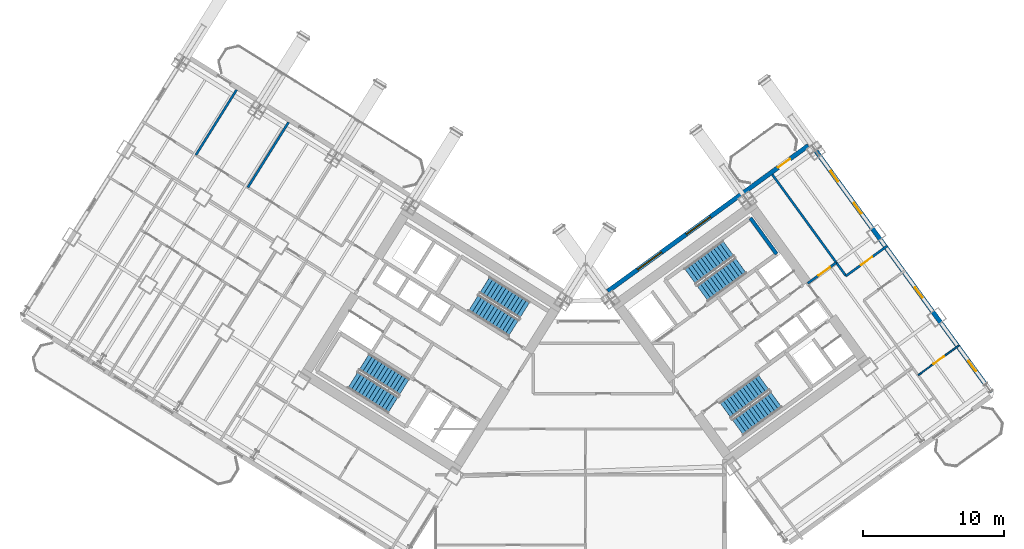
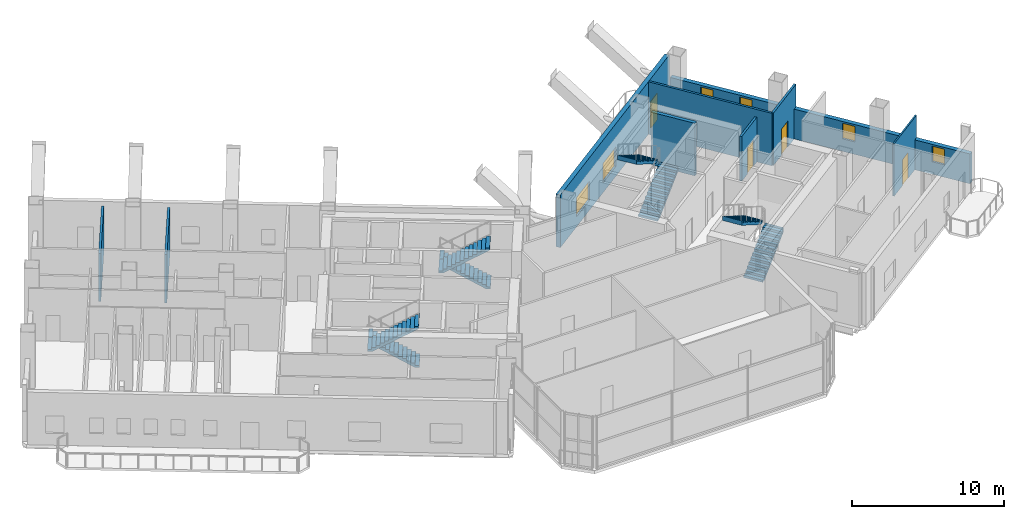
# One storey, part 26 of 30: 9 walls, 8 stair flights, 6 windows, 4 doors, 10 openings, 4 elements without a shape of their own.
"""IFC4 building model written with IfcOpenShell, lengths in metres."""

from ifc_helpers import new_model, si_unit, direction, frame, frame_2d, origin, place, context, subcontext, project, spatial, polyline, rectangle, outline, extrude, source, transform, mapped, material, layer, layer_set, type_object, element, fill, aggregate, save


model = new_model("IFC4")

# Units and contexts
model_context = context("Model", 3, precision=1e-05, world=origin(), true_north=direction((0.0, 1.0)))
body_context = subcontext(model_context, "Body", "Model", "MODEL_VIEW")
ifc_project = project(units=[si_unit("LENGTHUNIT", "METRE"), si_unit("AREAUNIT", "SQUARE_METRE"), si_unit("VOLUMEUNIT", "CUBIC_METRE"), si_unit("PLANEANGLEUNIT", "RADIAN"), si_unit("MASSUNIT", "GRAM", prefix="KILO")], contexts=[model_context])

# Site, building, storey
site_placement = place(None, origin())
site = spatial("IfcSite", under=ifc_project, at=site_placement, CompositionType="ELEMENT")
building_placement = place(site_placement, origin())
building = spatial("IfcBuilding", under=site, at=building_placement, Name="Tlacorven Tower", CompositionType="ELEMENT")
storey_placement = place(building_placement, frame((0.0, 0.0, 67.199951171875)))
storey = spatial("IfcBuildingStorey", under=building, at=storey_placement, Name="L17", CompositionType="ELEMENT", Elevation=67.199951171875)

# Walls
ifc_material_1 = material(Name="Gypsum plasterboard acoustic partition", Category="gypsum")
ifc_layer_1 = layer(ifc_material_1, 0.159912109375)
ifc_layer_set_1 = layer_set([ifc_layer_1], Name="Gypsum plasterboard acoustic partition")
wall_type_1 = type_object("IfcWallType", Name="WL-DEM-160", PredefinedType="PARTITIONING", material=ifc_layer_set_1)
for number, where, z_axis, x_axis, name in (
    (1, (21.29248046875, 37.177978515625, 0.0), (0.0, 0.0, 1.0), (-0.529938539346, -0.848036051425, 0.0), "L17 partition 71"),
    (2, (17.6083984375, 39.47998046875, 0.0), (0.0, 0.0, 1.0), (-0.529906322364, -0.848056182997, 0.0), "L17 partition 72"),
):
    element("IfcWall", number, at=place(storey_placement, frame(where, z_axis=z_axis, x_axis=x_axis)), inside=storey, type_object=wall_type_1, Name=name, PredefinedType="PARTITIONING", context=body_context, shape_type="SweptSolid", body=[
        extrude(rectangle(XDim=5.449951171875, YDim=0.159912109375, at=frame_2d((2.72509765625, 0.0))), origin(), (0.0, 0.0, 1.0), 3.864990234375),
    ])

# Wall, opening, door
wall_1_placement = place(storey_placement, frame((58.111083984375, 25.748779296875, 0.0), z_axis=(0.0, 0.0, 1.0), x_axis=(0.809000999347, 0.58780726693, 0.0)))
wall_1 = element("IfcWall", 3, at=wall_1_placement, inside=storey, type_object=wall_type_1, Name="L17 partition 91", PredefinedType="PARTITIONING", context=body_context, shape_type="SweptSolid", body=[
    extrude(rectangle(XDim=2.510009765625, YDim=0.159912109375, at=frame_2d((1.2548828125, 0.0))), origin(), (0.0, 0.0, 1.0), 3.594970703125),
])
opening_1_placement = place(wall_1_placement, frame((0.949951171875, 0.0, 0.0)))
opening_1 = element("IfcOpeningElement", 4, at=opening_1_placement, cuts=wall_1, Name="Opening D11", PredefinedType="OPENING", context=body_context, shape_type="SweptSolid", body=[
    extrude(rectangle(XDim=1.0, YDim=2.10009765625, at=frame_2d((0.5, 1.050048828125))), frame((0.0, 0.08984375, 0.0), z_axis=(0.0, -1.0, 0.0), x_axis=(1.0, 0.0, 0.0)), (0.0, 0.0, 1.0), 0.179931640625),
])
ifc_material_2 = material(Name="Fire-rated steel door assembly", Category="steel")
door_type_1 = type_object("IfcDoorType", Name="DR-FLT-FD60-1000", OperationType="NOTDEFINED", PredefinedType="DOOR", material=ifc_material_2)
shared_shape_1 = source(origin(), body_context, "Body", "SweptSolid", [
    extrude(rectangle(XDim=1.0, YDim=2.10009765625, at=frame_2d((0.5, 1.050048828125))), frame((0.0, 0.02490234375, 0.0), z_axis=(0.0, -1.0, 0.0), x_axis=(1.0, 0.0, 0.0)), (0.0, 0.0, 1.0), 0.050048828125),
])
door_1_placement = place(opening_1_placement, origin())
door_1 = element("IfcDoor", 5, at=door_1_placement, inside=storey, type_object=door_type_1, Name="L17 door 054", OperationType="SINGLE_SWING_LEFT", OverallHeight=2.10009765625, OverallWidth=1.0, PredefinedType="DOOR", context=body_context, shape_type="MappedRepresentation", body=[
    mapped(shared_shape_1, transform((0.0, 0.0, 0.0), scale=1.0)),
])
fill(opening_1, door_1)

# Wall
wall_2_placement = place(storey_placement, frame((60.829345703125, 26.277587890625, 0.0), z_axis=(0.0, 0.0, 1.0), x_axis=(-0.587781800813, 0.80901950201, 0.0)))
element("IfcWall", 6, at=wall_2_placement, inside=storey, type_object=wall_type_1, Name="L17 partition 93", PredefinedType="PARTITIONING", context=body_context, shape_type="SweptSolid", body=[
    extrude(rectangle(XDim=8.89990234375, YDim=0.159912109375, at=frame_2d((4.449951171875, 0.0))), origin(), (0.0, 0.0, 1.0), 4.2099609375),
])

# Wall, opening, door
wall_3_placement = place(storey_placement, frame((60.829345703125, 26.277587890625, 0.0), z_axis=(0.0, 0.0, 1.0), x_axis=(0.809003564202, 0.587803736896, 0.0)))
wall_3 = element("IfcWall", 7, at=wall_3_placement, inside=storey, type_object=wall_type_1, Name="L17 partition 96", PredefinedType="PARTITIONING", context=body_context, shape_type="SweptSolid", body=[
    extrude(rectangle(XDim=3.630126953125, YDim=0.159912109375, at=frame_2d((1.81494140625, 0.0))), origin(), (0.0, 0.0, 1.0), 4.2099609375),
])
opening_2_placement = place(wall_3_placement, frame((1.304931640625, 0.0, 0.0)))
opening_2 = element("IfcOpeningElement", 8, at=opening_2_placement, cuts=wall_3, Name="Opening D11", PredefinedType="OPENING", context=body_context, shape_type="SweptSolid", body=[
    extrude(rectangle(XDim=1.0, YDim=2.10009765625, at=frame_2d((0.5, 1.050048828125))), frame((0.0, 0.08984375, 0.0), z_axis=(0.0, -1.0, 0.0), x_axis=(1.0, 0.0, 0.0)), (0.0, 0.0, 1.0), 0.179931640625),
])
door_2_placement = place(opening_2_placement, origin())
door_2 = element("IfcDoor", 9, at=door_2_placement, inside=storey, type_object=door_type_1, Name="L17 door 056", OperationType="SINGLE_SWING_LEFT", OverallHeight=2.10009765625, OverallWidth=1.0, PredefinedType="DOOR", context=body_context, shape_type="MappedRepresentation", body=[
    mapped(shared_shape_1, transform((0.0, 0.0, 0.0), scale=1.0)),
])
fill(opening_2, door_2)

# Wall, openings, door, windows
ifc_material_3 = material(Name="Precast concrete C45/55", Category="concrete")
ifc_layer_2 = layer(ifc_material_3, 0.320068359375)
ifc_layer_set_2 = layer_set([ifc_layer_2], Name="Precast concrete C45/55")
wall_type_2 = type_object("IfcWallType", Name="WL-EXT-320", PredefinedType="STANDARD", material=ifc_layer_set_2)
wall_4_placement = place(storey_placement, frame((43.93798828125, 25.191650390625, 0.0), z_axis=(0.0, 0.0, 1.0), x_axis=(0.809016324578, 0.587786174187, 0.0)))
wall_4 = element("IfcWall", 10, at=wall_4_placement, inside=storey, type_object=wall_type_2, Name="L17 Masonry-Frame Recessed Facade Wall 4", PredefinedType="STANDARD", context=body_context, shape_type="SweptSolid", body=[
    extrude(rectangle(XDim=17.58740234375, YDim=0.320068359375, at=frame_2d((8.793701171875, 0.0))), origin(), (0.0, 0.0, 1.0), 4.219970703125),
])
opening_3_placement = place(wall_4_placement, frame((14.92626953125, 0.0, 0.0)))
opening_3 = element("IfcOpeningElement", 11, at=opening_3_placement, cuts=wall_4, Name="Opening D06", PredefinedType="OPENING", context=body_context, shape_type="SweptSolid", body=[
    extrude(rectangle(XDim=1.050048828125, YDim=2.14990234375, at=frame_2d((0.52490234375, 1.074951171875))), frame((0.0, 0.169921875, 0.0), z_axis=(0.0, -1.0, 0.0), x_axis=(1.0, 0.0, 0.0)), (0.0, 0.0, 1.0), 0.340087890625),
])
opening_4_placement = place(wall_4_placement, frame((2.606201171875, 0.0, 0.800048828125)))
opening_4 = element("IfcOpeningElement", 12, at=opening_4_placement, cuts=wall_4, Name="Opening WN04", PredefinedType="OPENING", context=body_context, shape_type="SweptSolid", body=[
    extrude(rectangle(XDim=2.10009765625, YDim=1.550048828125, at=frame_2d((1.050048828125, 0.77490234375))), frame((0.0, 0.169921875, 0.0), z_axis=(0.0, -1.0, 0.0), x_axis=(1.0, 0.0, 0.0)), (0.0, 0.0, 1.0), 0.340087890625),
])
opening_5_placement = place(wall_4_placement, frame((6.881103515625, 0.0, 0.800048828125)))
opening_5 = element("IfcOpeningElement", 13, at=opening_5_placement, cuts=wall_4, Name="Opening WN04", PredefinedType="OPENING", context=body_context, shape_type="SweptSolid", body=[
    extrude(rectangle(XDim=2.10009765625, YDim=1.550048828125, at=frame_2d((1.050048828125, 0.77490234375))), frame((0.0, 0.169921875, 0.0), z_axis=(0.0, -1.0, 0.0), x_axis=(1.0, 0.0, 0.0)), (0.0, 0.0, 1.0), 0.340087890625),
])
ifc_material_4 = material(Name="Powder-coated aluminium and timber door", Category="wood")
door_type_2 = type_object("IfcDoorType", Name="DR-EXT-BALC-1050", OperationType="NOTDEFINED", PredefinedType="DOOR", material=ifc_material_4)
shared_shape_2 = source(origin(), body_context, "Body", "SweptSolid", [
    extrude(rectangle(XDim=1.050048828125, YDim=2.14990234375, at=frame_2d((0.52490234375, 1.074951171875))), frame((0.0, 0.02490234375, 0.0), z_axis=(0.0, -1.0, 0.0), x_axis=(1.0, 0.0, 0.0)), (0.0, 0.0, 1.0), 0.050048828125),
])
door_3_placement = place(opening_3_placement, origin())
door_3 = element("IfcDoor", 14, at=door_3_placement, inside=storey, type_object=door_type_2, Name="L17 Outdoor Access Door BAL-L17-E-IN", OperationType="SINGLE_SWING_RIGHT", OverallHeight=2.14990234375, OverallWidth=1.050048828125, PredefinedType="DOOR", context=body_context, shape_type="MappedRepresentation", body=[
    mapped(shared_shape_2, transform((0.0, 0.0, 0.0), scale=1.0)),
])
fill(opening_3, door_3)
ifc_material_5 = material(Name="Dark solar low-E double glazing in anodised aluminium frame", Category="aluminium")
window_type_1 = type_object("IfcWindowType", Name="WN-APT-2100X1750", PartitioningType="SINGLE_PANEL", PredefinedType="WINDOW", material=ifc_material_5)
shared_shape_3 = source(origin(), body_context, "Body", "SweptSolid", [
    extrude(rectangle(XDim=2.10009765625, YDim=1.550048828125, at=frame_2d((1.050048828125, 0.77490234375))), frame((0.0, 0.030029296875, 0.0), z_axis=(0.0, -1.0, 0.0), x_axis=(1.0, 0.0, 0.0)), (0.0, 0.0, 1.0), 0.06005859375),
])
window_1_placement = place(opening_4_placement, origin())
window_1 = element("IfcWindow", 15, at=window_1_placement, inside=storey, type_object=window_type_1, Name="L17 Recessed Masonry-Frame Window L17-04.1", OverallHeight=1.550048828125, OverallWidth=2.10009765625, PartitioningType="SINGLE_PANEL", PredefinedType="WINDOW", context=body_context, shape_type="MappedRepresentation", body=[
    mapped(shared_shape_3, transform((0.0, 0.0, 0.0), scale=1.0)),
])
fill(opening_4, window_1)
window_2_placement = place(opening_5_placement, origin())
window_2 = element("IfcWindow", 16, at=window_2_placement, inside=storey, type_object=window_type_1, Name="L17 Recessed Masonry-Frame Window L17-04.2", OverallHeight=1.550048828125, OverallWidth=2.10009765625, PartitioningType="SINGLE_PANEL", PredefinedType="WINDOW", context=body_context, shape_type="MappedRepresentation", body=[
    mapped(shared_shape_3, transform((0.0, 0.0, 0.0), scale=1.0)),
])
fill(opening_5, window_2)

# Wall, openings, windows
wall_5_placement = place(storey_placement, frame((58.45458984375, 35.483642578125, 0.0), z_axis=(0.0, 0.0, 1.0), x_axis=(0.587783625747, -0.809018176127, 0.0)))
wall_5 = element("IfcWall", 17, at=wall_5_placement, inside=storey, type_object=wall_type_2, Name="L17 Masonry-Frame Recessed Facade Wall 5", PredefinedType="STANDARD", context=body_context, shape_type="SweptSolid", body=[
    extrude(rectangle(XDim=21.58740234375, YDim=0.320068359375, at=frame_2d((10.793701171875, 0.0))), origin(), (0.0, 0.0, 1.0), 2.39501953125),
])
opening_6_placement = place(wall_5_placement, frame((2.193603515625, 0.0, 1.0)))
opening_6 = element("IfcOpeningElement", 18, at=opening_6_placement, cuts=wall_5, Name="Opening WN05", PredefinedType="OPENING", context=body_context, shape_type="SweptSolid", body=[
    extrude(rectangle(XDim=0.89990234375, YDim=1.25, at=frame_2d((0.449951171875, 0.625))), frame((0.0, 0.169921875, 0.0), z_axis=(0.0, -1.0, 0.0), x_axis=(1.0, 0.0, 0.0)), (0.0, 0.0, 1.0), 0.340087890625),
])
opening_7_placement = place(wall_5_placement, frame((4.99365234375, 0.0, 1.0)))
opening_7 = element("IfcOpeningElement", 19, at=opening_7_placement, cuts=wall_5, Name="Opening WN05", PredefinedType="OPENING", context=body_context, shape_type="SweptSolid", body=[
    extrude(rectangle(XDim=0.89990234375, YDim=1.25, at=frame_2d((0.449951171875, 0.625))), frame((0.0, 0.169921875, 0.0), z_axis=(0.0, -1.0, 0.0), x_axis=(1.0, 0.0, 0.0)), (0.0, 0.0, 1.0), 0.340087890625),
])
opening_8_placement = place(wall_5_placement, frame((12.3837890625, 0.0, 1.0)))
opening_8 = element("IfcOpeningElement", 20, at=opening_8_placement, cuts=wall_5, Name="Opening WN05", PredefinedType="OPENING", context=body_context, shape_type="SweptSolid", body=[
    extrude(rectangle(XDim=0.89990234375, YDim=1.25, at=frame_2d((0.449951171875, 0.625))), frame((0.0, 0.169921875, 0.0), z_axis=(0.0, -1.0, 0.0), x_axis=(1.0, 0.0, 0.0)), (0.0, 0.0, 1.0), 0.340087890625),
])
opening_9_placement = place(wall_5_placement, frame((18.834716796875, 0.0, 1.0)))
opening_9 = element("IfcOpeningElement", 21, at=opening_9_placement, cuts=wall_5, Name="Opening WN05", PredefinedType="OPENING", context=body_context, shape_type="SweptSolid", body=[
    extrude(rectangle(XDim=0.89990234375, YDim=1.25, at=frame_2d((0.449951171875, 0.625))), frame((0.0, 0.169921875, 0.0), z_axis=(0.0, -1.0, 0.0), x_axis=(1.0, 0.0, 0.0)), (0.0, 0.0, 1.0), 0.340087890625),
])
window_type_2 = type_object("IfcWindowType", Name="WN-APT-0900X1350", PartitioningType="SINGLE_PANEL", PredefinedType="WINDOW", material=ifc_material_5)
shared_shape_4 = source(origin(), body_context, "Body", "SweptSolid", [
    extrude(rectangle(XDim=0.89990234375, YDim=1.25, at=frame_2d((0.449951171875, 0.625))), frame((0.0, 0.030029296875, 0.0), z_axis=(0.0, -1.0, 0.0), x_axis=(1.0, 0.0, 0.0)), (0.0, 0.0, 1.0), 0.06005859375),
])
window_3_placement = place(opening_6_placement, origin())
window_3 = element("IfcWindow", 22, at=window_3_placement, inside=storey, type_object=window_type_2, Name="L17 Recessed Masonry-Frame Window L17-05.1", OverallHeight=1.25, OverallWidth=0.89990234375, PartitioningType="SINGLE_PANEL", PredefinedType="WINDOW", context=body_context, shape_type="MappedRepresentation", body=[
    mapped(shared_shape_4, transform((0.0, 0.0, 0.0), scale=1.0)),
])
fill(opening_6, window_3)
window_4_placement = place(opening_7_placement, origin())
window_4 = element("IfcWindow", 23, at=window_4_placement, inside=storey, type_object=window_type_2, Name="L17 Recessed Masonry-Frame Window L17-05.2", OverallHeight=1.25, OverallWidth=0.89990234375, PartitioningType="SINGLE_PANEL", PredefinedType="WINDOW", context=body_context, shape_type="MappedRepresentation", body=[
    mapped(shared_shape_4, transform((0.0, 0.0, 0.0), scale=1.0)),
])
fill(opening_7, window_4)
window_5_placement = place(opening_8_placement, origin())
window_5 = element("IfcWindow", 24, at=window_5_placement, inside=storey, type_object=window_type_2, Name="L17 Recessed Masonry-Frame Window L17-05.3", OverallHeight=1.25, OverallWidth=0.89990234375, PartitioningType="SINGLE_PANEL", PredefinedType="WINDOW", context=body_context, shape_type="MappedRepresentation", body=[
    mapped(shared_shape_4, transform((0.0, 0.0, 0.0), scale=1.0)),
])
fill(opening_8, window_5)
window_6_placement = place(opening_9_placement, origin())
window_6 = element("IfcWindow", 25, at=window_6_placement, inside=storey, type_object=window_type_2, Name="L17 Recessed Masonry-Frame Window L17-05.4", OverallHeight=1.25, OverallWidth=0.89990234375, PartitioningType="SINGLE_PANEL", PredefinedType="WINDOW", context=body_context, shape_type="MappedRepresentation", body=[
    mapped(shared_shape_4, transform((0.0, 0.0, 0.0), scale=1.0)),
])
fill(opening_9, window_6)

# Wall, opening, door
ifc_material_6 = material(Name="Gypsum plasterboard partition", Category="gypsum")
ifc_layer_3 = layer(ifc_material_6, 0.110107421875)
ifc_layer_set_3 = layer_set([ifc_layer_3], Name="Gypsum plasterboard partition")
wall_type_3 = type_object("IfcWallType", Name="WL-INT-110", PredefinedType="PARTITIONING", material=ifc_layer_set_3)
wall_6_placement = place(storey_placement, frame((65.9443359375, 19.237548828125, 0.0), z_axis=(0.0, 0.0, 1.0), x_axis=(0.809013833588, 0.587789602718, 0.0)))
wall_6 = element("IfcWall", 26, at=wall_6_placement, inside=storey, type_object=wall_type_3, Name="L17 partition 97", PredefinedType="PARTITIONING", context=body_context, shape_type="SweptSolid", body=[
    extrude(rectangle(XDim=3.60986328125, YDim=0.110107421875, at=frame_2d((1.804931640625, 0.0))), origin(), (0.0, 0.0, 1.0), 4.2099609375),
])
opening_10_placement = place(wall_6_placement, frame((1.344970703125, 0.0, 0.0)))
opening_10 = element("IfcOpeningElement", 27, at=opening_10_placement, cuts=wall_6, Name="Opening D12", PredefinedType="OPENING", context=body_context, shape_type="SweptSolid", body=[
    extrude(rectangle(XDim=0.919921875, YDim=2.080078125, at=frame_2d((0.4599609375, 1.0400390625))), frame((0.0, 0.06494140625, 0.0), z_axis=(0.0, -1.0, 0.0), x_axis=(1.0, 0.0, 0.0)), (0.0, 0.0, 1.0), 0.130126953125),
])
door_type_3 = type_object("IfcDoorType", Name="DR-INT-ROOM-0920", OperationType="NOTDEFINED", PredefinedType="DOOR", material=ifc_material_4)
shared_shape_5 = source(origin(), body_context, "Body", "SweptSolid", [
    extrude(rectangle(XDim=0.919921875, YDim=2.080078125, at=frame_2d((0.4599609375, 1.0400390625))), frame((0.0, 0.02490234375, 0.0), z_axis=(0.0, -1.0, 0.0), x_axis=(1.0, 0.0, 0.0)), (0.0, 0.0, 1.0), 0.050048828125),
])
door_4_placement = place(opening_10_placement, origin())
door_4 = element("IfcDoor", 28, at=door_4_placement, inside=storey, type_object=door_type_3, Name="L17 door 058", OperationType="SINGLE_SWING_LEFT", OverallHeight=2.080078125, OverallWidth=0.919921875, PredefinedType="DOOR", context=body_context, shape_type="MappedRepresentation", body=[
    mapped(shared_shape_5, transform((0.0, 0.0, 0.0), scale=1.0)),
])
fill(opening_10, door_4)

# Wall
ifc_material_7 = material(Name="Concrete C50/60", Category="concrete")
ifc_layer_4 = layer(ifc_material_7, 0.260009765625)
ifc_layer_set_4 = layer_set([ifc_layer_4], Name="Concrete C50/60")
wall_type_4 = type_object("IfcWallType", Name="WL-STW-260", PredefinedType="SHEAR", material=ifc_layer_set_4)
wall_7_placement = place(storey_placement, frame((55.906494140625, 27.83056640625, 0.0), z_axis=(0.0, 0.0, 1.0), x_axis=(-0.587804123638, 0.809003283204, 0.0)))
element("IfcWall", 29, at=wall_7_placement, inside=storey, type_object=wall_type_4, Name="L17 Stair E1 East Shear Wall", PredefinedType="SHEAR", context=body_context, shape_type="SweptSolid", body=[
    extrude(rectangle(XDim=3.159912109375, YDim=0.260009765625, at=frame_2d((1.580078125, 0.0))), origin(), (0.0, 0.0, 1.0), 4.219970703125),
])

# Stair, stair flights
ifc_material_8 = material(Name="Concrete C40/50", Category="concrete")
stair_type = type_object("IfcStairType", Name="ST-CORE-DLG", PredefinedType="HALF_TURN_STAIR", material=ifc_material_8)
stair_1_placement = place(storey_placement, origin())
stair_1 = element("IfcStair", 30, at=stair_1_placement, inside=storey, type_object=stair_type, Name="L17 Protected Exit Stair West 1", PredefinedType="HALF_TURN_STAIR")
stair_flight_type = type_object("IfcStairFlightType", Name="SFL-RC-1380", PredefinedType="STRAIGHT", material=ifc_material_8)
shared_shape_6 = source(origin(), body_context, "Body", "SweptSolid", [
    extrude(outline(polyline([(-0.0029296875, -0.0029296875), (-0.0029296875, 0.173095703125), (0.280029296875, 0.173095703125), (0.280029296875, 0.34619140625), (0.56005859375, 0.34619140625), (0.56005859375, 0.519287109375), (0.840087890625, 0.519287109375), (0.840087890625, 0.6923828125), (1.1201171875, 0.6923828125), (1.1201171875, 0.865478515625), (1.39990234375, 0.865478515625), (1.39990234375, 1.03857421875), (1.679931640625, 1.03857421875), (1.679931640625, 1.21142578125), (1.9599609375, 1.21142578125), (1.9599609375, 1.384521484375), (2.239990234375, 1.384521484375), (2.239990234375, 1.5576171875), (2.52001953125, 1.5576171875), (2.52001953125, 1.730712890625), (2.800048828125, 1.730712890625), (2.800048828125, 1.90380859375), (3.080078125, 1.90380859375), (3.080078125, 2.076904296875), (3.360107421875, 2.076904296875), (3.360107421875, 2.25), (3.363037109375, 2.25), (3.363037109375, 1.888916015625), (3.360107421875, 1.888916015625), (0.30419921875, 0.0), (0.30419921875, -0.0029296875), (-0.0029296875, -0.0029296875)])), frame((0.0, 0.68994140625, 0.0), z_axis=(0.0, -1.0, 0.0), x_axis=(1.0, 0.0, 0.0)), (0.0, 0.0, 1.0), 1.3798828125),
])
stair_flight_1_placement = place(storey_placement, frame((29.499755859375, 18.39453125, 0.0), z_axis=(0.0, 0.0, 1.0), x_axis=(-0.848048096156, 0.529919264233, 0.0)))
stair_flight_1 = element("IfcStairFlight", 31, at=stair_flight_1_placement, type_object=stair_flight_type, Name="ST-W1 flight 1", NumberOfRisers=13, NumberOfTreads=12, PredefinedType="STRAIGHT", RiserHeight=0.173076923, TreadLength=0.28, context=body_context, shape_type="MappedRepresentation", body=[
    mapped(shared_shape_6, transform((0.0, 0.0, 0.0), scale=1.0)),
])
stair_flight_2_placement = place(storey_placement, frame((25.85546875, 18.903076171875, 2.25), z_axis=(0.0, 0.0, 1.0), x_axis=(0.848048096156, -0.529919264233, 0.0)))
stair_flight_2 = element("IfcStairFlight", 32, at=stair_flight_2_placement, type_object=stair_flight_type, Name="ST-W1 flight 2", NumberOfRisers=13, NumberOfTreads=12, PredefinedType="STRAIGHT", RiserHeight=0.173076923, TreadLength=0.28, context=body_context, shape_type="MappedRepresentation", body=[
    mapped(shared_shape_6, transform((0.0, 0.0, 0.0), scale=1.0)),
])
aggregate(stair_1, [stair_flight_1, stair_flight_2])

stair_2_placement = place(storey_placement, origin())
stair_2 = element("IfcStair", 33, at=stair_2_placement, inside=storey, type_object=stair_type, Name="L17 Protected Exit Stair West 2", PredefinedType="HALF_TURN_STAIR")
stair_flight_3_placement = place(storey_placement, frame((38.051513671875, 23.852294921875, 0.0), z_axis=(0.0, 0.0, 1.0), x_axis=(-0.848048096156, 0.529919264233, 0.0)))
stair_flight_3 = element("IfcStairFlight", 34, at=stair_flight_3_placement, type_object=stair_flight_type, Name="ST-W2 flight 1", NumberOfRisers=13, NumberOfTreads=12, PredefinedType="STRAIGHT", RiserHeight=0.173076923, TreadLength=0.28, context=body_context, shape_type="MappedRepresentation", body=[
    mapped(shared_shape_6, transform((0.0, 0.0, 0.0), scale=1.0)),
])
stair_flight_4_placement = place(storey_placement, frame((34.406982421875, 24.36083984375, 2.25), z_axis=(0.0, 0.0, 1.0), x_axis=(0.848048096156, -0.529919264233, 0.0)))
stair_flight_4 = element("IfcStairFlight", 35, at=stair_flight_4_placement, type_object=stair_flight_type, Name="ST-W2 flight 2", NumberOfRisers=13, NumberOfTreads=12, PredefinedType="STRAIGHT", RiserHeight=0.173076923, TreadLength=0.28, context=body_context, shape_type="MappedRepresentation", body=[
    mapped(shared_shape_6, transform((0.0, 0.0, 0.0), scale=1.0)),
])
aggregate(stair_2, [stair_flight_3, stair_flight_4])

stair_3_placement = place(storey_placement, origin())
stair_3 = element("IfcStair", 36, at=stair_3_placement, inside=storey, type_object=stair_type, Name="L17 Protected Exit Stair East 1", PredefinedType="HALF_TURN_STAIR")
stair_flight_5_placement = place(storey_placement, frame((50.6533203125, 25.0400390625, 0.0), z_axis=(0.0, 0.0, 1.0), x_axis=(0.809016994375, 0.587785252292, 0.0)))
stair_flight_5 = element("IfcStairFlight", 37, at=stair_flight_5_placement, type_object=stair_flight_type, Name="ST-E1 flight 1", NumberOfRisers=13, NumberOfTreads=12, PredefinedType="STRAIGHT", RiserHeight=0.173076923, TreadLength=0.28, context=body_context, shape_type="MappedRepresentation", body=[
    mapped(shared_shape_6, transform((0.0, 0.0, 0.0), scale=1.0)),
])
stair_flight_6_placement = place(storey_placement, frame((52.489990234375, 28.228515625, 2.25), z_axis=(0.0, 0.0, 1.0), x_axis=(-0.809016994375, -0.587785252292, 0.0)))
stair_flight_6 = element("IfcStairFlight", 38, at=stair_flight_6_placement, type_object=stair_flight_type, Name="ST-E1 flight 2", NumberOfRisers=13, NumberOfTreads=12, PredefinedType="STRAIGHT", RiserHeight=0.173076923, TreadLength=0.28, context=body_context, shape_type="MappedRepresentation", body=[
    mapped(shared_shape_6, transform((0.0, 0.0, 0.0), scale=1.0)),
])
aggregate(stair_3, [stair_flight_5, stair_flight_6])

stair_4_placement = place(storey_placement, origin())
stair_4 = element("IfcStair", 39, at=stair_4_placement, inside=storey, type_object=stair_type, Name="L17 Protected Exit Stair East 2", PredefinedType="HALF_TURN_STAIR")
stair_flight_7_placement = place(storey_placement, frame((53.157470703125, 15.536865234375, 0.0), z_axis=(0.0, 0.0, 1.0), x_axis=(0.809016994375, 0.587785252292, 0.0)))
stair_flight_7 = element("IfcStairFlight", 40, at=stair_flight_7_placement, type_object=stair_flight_type, Name="ST-E2 flight 1", NumberOfRisers=13, NumberOfTreads=12, PredefinedType="STRAIGHT", RiserHeight=0.173076923, TreadLength=0.28, context=body_context, shape_type="MappedRepresentation", body=[
    mapped(shared_shape_6, transform((0.0, 0.0, 0.0), scale=1.0)),
])
stair_flight_8_placement = place(storey_placement, frame((54.994140625, 18.725341796875, 2.25), z_axis=(0.0, 0.0, 1.0), x_axis=(-0.809016994375, -0.587785252292, 0.0)))
stair_flight_8 = element("IfcStairFlight", 41, at=stair_flight_8_placement, type_object=stair_flight_type, Name="ST-E2 flight 2", NumberOfRisers=13, NumberOfTreads=12, PredefinedType="STRAIGHT", RiserHeight=0.173076923, TreadLength=0.28, context=body_context, shape_type="MappedRepresentation", body=[
    mapped(shared_shape_6, transform((0.0, 0.0, 0.0), scale=1.0)),
])
aggregate(stair_4, [stair_flight_7, stair_flight_8])

save(model, "model.ifc")
